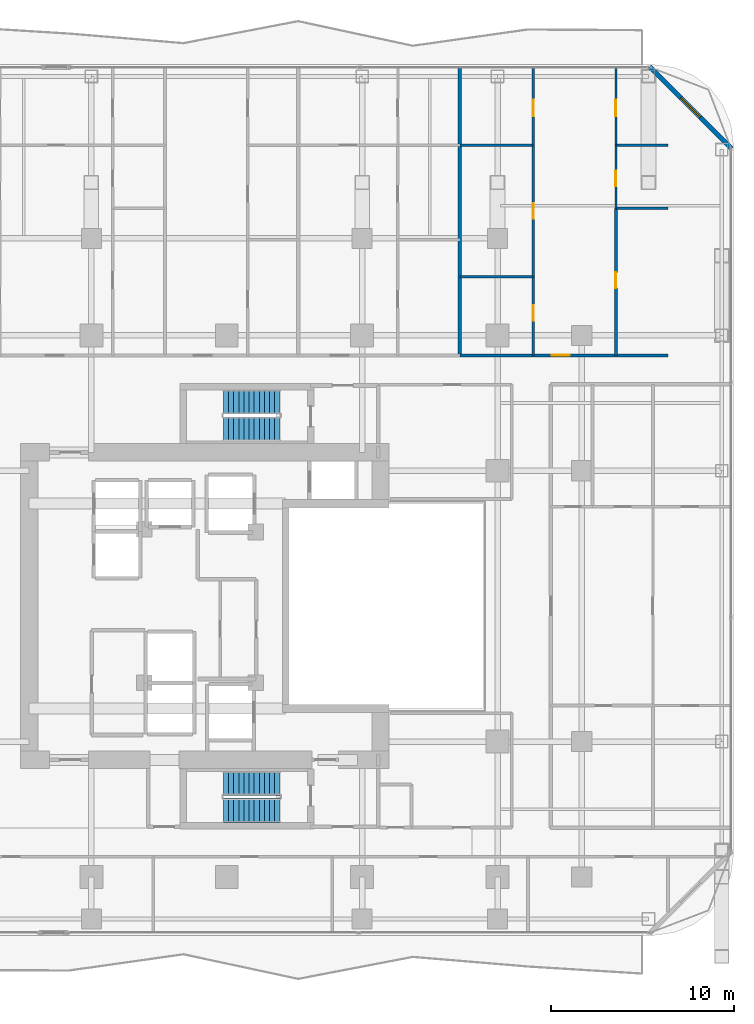
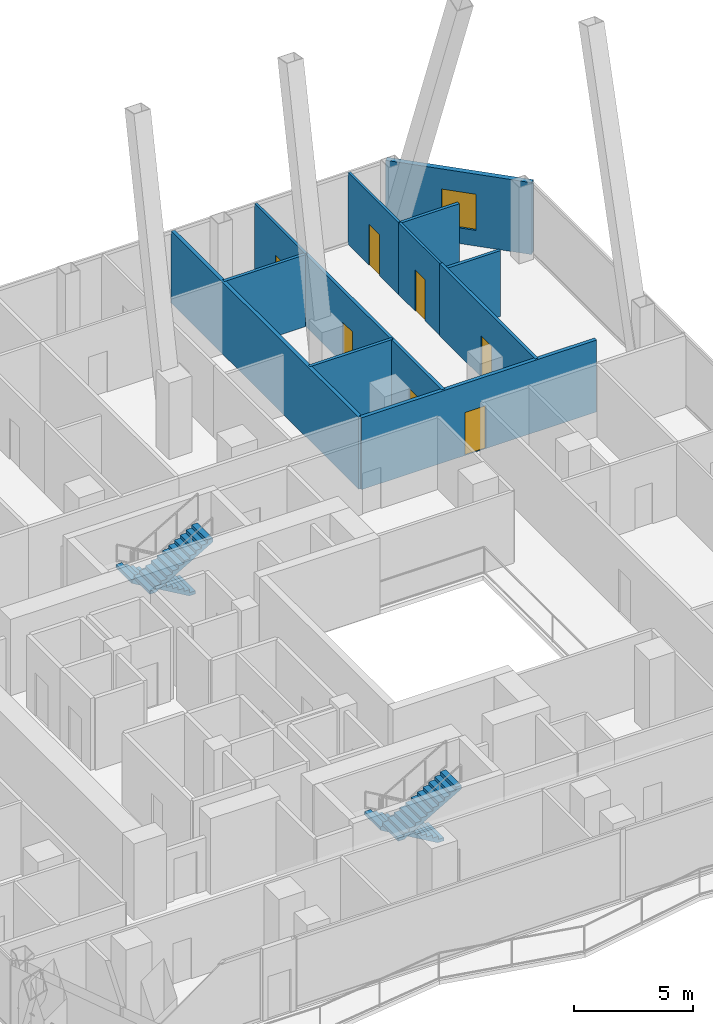
# One storey, part 25 of 28: 13 walls, 7 doors, 4 stair flights, 1 window, 8 openings, 2 elements without a shape of their own.
"""IFC4 building model written with IfcOpenShell, lengths in metres."""

from ifc_helpers import new_model, si_unit, direction, frame, frame_2d, origin, place, context, subcontext, project, spatial, polyline, rectangle, outline, extrude, material, layer, layer_set, type_object, element, fill, aggregate, save


model = new_model("IFC4")

# Units and contexts
model_context = context("Model", 3, precision=1e-05, world=origin(), true_north=direction((0.0, 1.0)))
body_context = subcontext(model_context, "Body", "Model", "MODEL_VIEW")
ifc_project = project(units=[si_unit("LENGTHUNIT", "METRE"), si_unit("AREAUNIT", "SQUARE_METRE"), si_unit("VOLUMEUNIT", "CUBIC_METRE"), si_unit("PLANEANGLEUNIT", "RADIAN"), si_unit("MASSUNIT", "GRAM", prefix="KILO")], contexts=[model_context])

# Site, building, storey
site_placement = place(None, origin())
site = spatial("IfcSite", under=ifc_project, at=site_placement, CompositionType="ELEMENT")
building_placement = place(site_placement, origin())
building = spatial("IfcBuilding", under=site, at=building_placement, Name="Khorvyn Point Tower", CompositionType="ELEMENT")
storey_placement = place(building_placement, frame((0.0, 0.0, 121.199951171875)))
storey = spatial("IfcBuildingStorey", under=building, at=storey_placement, Name="L30", CompositionType="ELEMENT", Elevation=121.199951171875)

# Wall, opening, door
ifc_material_1 = material(Name="Double acoustic gypsum on twin steel stud", Category="steel")
ifc_layer_1 = layer(ifc_material_1, 0.179931640625)
ifc_layer_set_1 = layer_set([ifc_layer_1], Name="Acoustic Double-Stud Apartment Demising Wall 180")
wall_type_1 = type_object("IfcWallType", Name="Acoustic Double-Stud Apartment Demising Wall 180", PredefinedType="PARTITIONING", material=ifc_layer_set_1)
wall_1_placement = place(storey_placement, frame((12.736083984375, 13.699951171875, 0.0), z_axis=(0.0, 0.0, 1.0), x_axis=(1.0, 0.0, 0.0)))
wall_1 = element("IfcWall", 1, at=wall_1_placement, inside=storey, type_object=wall_type_1, Name="Wall", PredefinedType="PARTITIONING", context=body_context, shape_type="SweptSolid", body=[
    extrude(rectangle(XDim=11.384033203125, YDim=0.179931640625, at=frame_2d((5.69189453125, 0.0))), origin(), (0.0, 0.0, 1.0), 3.679931640625),
])
opening_1_placement = place(wall_1_placement, frame((5.01220703125, 0.0, 0.0)))
opening_1 = element("IfcOpeningElement", 2, at=opening_1_placement, cuts=wall_1, Name="Opening ID-AP60", PredefinedType="OPENING", context=body_context, shape_type="SweptSolid", body=[
    extrude(rectangle(XDim=1.0, YDim=2.199951171875, at=frame_2d((0.5, 1.10009765625))), frame((0.0, 0.099853515625, 0.0), z_axis=(0.0, -1.0, 0.0), x_axis=(1.0, 0.0, 0.0)), (0.0, 0.0, 1.0), 0.199951171875),
])
ifc_material_2 = material(Name="Engineered hardwood fire-rated leaf", Category="wood")
door_type_1 = type_object("IfcDoorType", Name="Acoustic Solid-Core Timber Apartment Entrance Door 1000x2200", OperationType="NOTDEFINED", PredefinedType="DOOR", material=ifc_material_2)
door_1_placement = place(opening_1_placement, origin())
door_1 = element("IfcDoor", 3, at=door_1_placement, inside=storey, type_object=door_type_1, Name="Door", OperationType="SINGLE_SWING_LEFT", OverallHeight=2.199951171875, OverallWidth=1.0, PredefinedType="DOOR", context=body_context, shape_type="SweptSolid", body=[
    extrude(rectangle(XDim=1.0, YDim=2.199951171875, at=frame_2d((0.5, 1.10009765625))), frame((0.0, 0.02490234375, 0.0), z_axis=(0.0, -1.0, 0.0), x_axis=(1.0, 0.0, 0.0)), (0.0, 0.0, 1.0), 0.050048828125),
])
fill(opening_1, door_1)

# Wall
wall_2_placement = place(storey_placement, frame((12.736083984375, 13.699951171875, 0.0), z_axis=(0.0, 0.0, 1.0), x_axis=(0.0, 1.0, 0.0)))
element("IfcWall", 4, at=wall_2_placement, inside=storey, type_object=wall_type_1, Name="Wall", PredefinedType="PARTITIONING", context=body_context, shape_type="SweptSolid", body=[
    extrude(rectangle(XDim=15.72998046875, YDim=0.179931640625, at=frame_2d((7.864990234375, 0.0))), origin(), (0.0, 0.0, 1.0), 3.679931640625),
])

# Wall, opening, window
ifc_material_3 = material(Name="Pale anodised aluminium rainscreen on steel stud", Category="steel")
ifc_layer_2 = layer(ifc_material_3, 0.239990234375)
ifc_layer_set_2 = layer_set([ifc_layer_2], Name="Anodised Aluminium Insulated Corner Spandrel Wall 240")
wall_type_2 = type_object("IfcWallType", Name="Anodised Aluminium Insulated Corner Spandrel Wall 240", PredefinedType="SOLIDWALL", material=ifc_layer_set_2)
wall_3_placement = place(storey_placement, frame((23.107666015625, 29.492431640625, 0.0), z_axis=(0.0, 0.0, 1.0), x_axis=(0.707087534163, -0.707126027686, 0.0)))
wall_3 = element("IfcWall", 5, at=wall_3_placement, inside=storey, type_object=wall_type_2, Name="L30 Rounded Corner Wall NE", PredefinedType="SOLIDWALL", context=body_context, shape_type="SweptSolid", body=[
    extrude(rectangle(XDim=6.34228515625, YDim=0.239990234375, at=frame_2d((3.171142578125, 0.0))), origin(), (0.0, 0.0, 1.0), 3.679931640625),
])
opening_2_placement = place(wall_3_placement, frame((2.42138671875, 0.0, 0.800048828125)))
opening_2 = element("IfcOpeningElement", 6, at=opening_2_placement, cuts=wall_3, Name="Opening WN-1518", PredefinedType="OPENING", context=body_context, shape_type="SweptSolid", body=[
    extrude(rectangle(XDim=1.5, YDim=1.85009765625, at=frame_2d((0.75, 0.925048828125))), frame((0.0, 0.1298828125, 0.0), z_axis=(0.0, -1.0, 0.0), x_axis=(1.0, 0.0, 0.0)), (0.0, 0.0, 1.0), 0.260009765625),
])
ifc_material_4 = material(Name="Anodised aluminium 6063-T6 and laminated Low-E glass", Category="aluminium")
window_type = type_object("IfcWindowType", Name="Anodised Aluminium Rounded-Corner Panoramic Window 1500x1850", PartitioningType="SINGLE_PANEL", PredefinedType="WINDOW", material=ifc_material_4)
window_placement = place(opening_2_placement, origin())
window = element("IfcWindow", 7, at=window_placement, inside=storey, type_object=window_type, Name="L30 Corner Panoramic Window NE", OverallHeight=1.85009765625, OverallWidth=1.5, PartitioningType="SINGLE_PANEL", PredefinedType="WINDOW", context=body_context, shape_type="SweptSolid", body=[
    extrude(rectangle(XDim=1.5, YDim=1.85009765625, at=frame_2d((0.75, 0.925048828125))), frame((0.0, 0.030029296875, 0.0), z_axis=(0.0, -1.0, 0.0), x_axis=(1.0, 0.0, 0.0)), (0.0, 0.0, 1.0), 0.06005859375),
])
fill(opening_2, window)

# Wall, opening, door
ifc_material_5 = material(Name="Gypsum plasterboard on steel stud", Category="steel")
ifc_layer_3 = layer(ifc_material_5, 0.1201171875)
ifc_layer_set_3 = layer_set([ifc_layer_3], Name="Gypsum Acoustic Stud Room Partition Wall 120")
wall_type_3 = type_object("IfcWallType", Name="Gypsum Acoustic Stud Room Partition Wall 120", PredefinedType="PARTITIONING", material=ifc_layer_set_3)
wall_4_placement = place(storey_placement, frame((16.748046875, 25.18994140625, 0.0), z_axis=(0.0, 0.0, 1.0), x_axis=(0.0, 1.0, 0.0)))
wall_4 = element("IfcWall", 8, at=wall_4_placement, inside=storey, type_object=wall_type_3, Name="Wall", PredefinedType="PARTITIONING", context=body_context, shape_type="SweptSolid", body=[
    extrude(rectangle(XDim=4.239990234375, YDim=0.1201171875, at=frame_2d((2.1201171875, 0.0))), origin(), (0.0, 0.0, 1.0), 3.679931640625),
])
opening_3_placement = place(wall_4_placement, frame((1.581298828125, 0.0, 0.0)))
opening_3 = element("IfcOpeningElement", 9, at=opening_3_placement, cuts=wall_4, Name="Opening ID-RM90", PredefinedType="OPENING", context=body_context, shape_type="SweptSolid", body=[
    extrude(rectangle(XDim=0.89990234375, YDim=2.10009765625, at=frame_2d((0.449951171875, 1.050048828125))), frame((0.0, 0.070068359375, 0.0), z_axis=(0.0, -1.0, 0.0), x_axis=(1.0, 0.0, 0.0)), (0.0, 0.0, 1.0), 0.14013671875),
])
ifc_material_6 = material(Name="Engineered oak veneer timber", Category="wood")
door_type_2 = type_object("IfcDoorType", Name="Flush Engineered Timber Room Door 900x2100", OperationType="NOTDEFINED", PredefinedType="DOOR", material=ifc_material_6)
door_2_placement = place(opening_3_placement, origin())
door_2 = element("IfcDoor", 10, at=door_2_placement, inside=storey, type_object=door_type_2, Name="Door", OperationType="SINGLE_SWING_RIGHT", OverallHeight=2.10009765625, OverallWidth=0.89990234375, PredefinedType="DOOR", context=body_context, shape_type="SweptSolid", body=[
    extrude(rectangle(XDim=0.89990234375, YDim=2.10009765625, at=frame_2d((0.449951171875, 1.050048828125))), frame((0.0, 0.02490234375, 0.0), z_axis=(0.0, -1.0, 0.0), x_axis=(1.0, 0.0, 0.0)), (0.0, 0.0, 1.0), 0.050048828125),
])
fill(opening_3, door_2)

wall_5_placement = place(storey_placement, frame((21.27001953125, 21.742919921875, 0.0), z_axis=(0.0, 0.0, 1.0), x_axis=(0.0, 1.0, 0.0)))
wall_5 = element("IfcWall", 11, at=wall_5_placement, inside=storey, type_object=wall_type_3, Name="Wall", PredefinedType="PARTITIONING", context=body_context, shape_type="SweptSolid", body=[
    extrude(rectangle(XDim=3.447021484375, YDim=0.1201171875, at=frame_2d((1.7236328125, 0.0))), origin(), (0.0, 0.0, 1.0), 3.679931640625),
])
opening_4_placement = place(wall_5_placement, frame((1.2109375, 0.0, 0.0)))
opening_4 = element("IfcOpeningElement", 12, at=opening_4_placement, cuts=wall_5, Name="Opening ID-WC85", PredefinedType="OPENING", context=body_context, shape_type="SweptSolid", body=[
    extrude(rectangle(XDim=0.85009765625, YDim=2.10009765625, at=frame_2d((0.425048828125, 1.050048828125))), frame((0.0, 0.070068359375, 0.0), z_axis=(0.0, -1.0, 0.0), x_axis=(1.0, 0.0, 0.0)), (0.0, 0.0, 1.0), 0.14013671875),
])
ifc_material_7 = material(Name="High-pressure laminate on moisture-resistant core", Category="wood")
door_type_3 = type_object("IfcDoorType", Name="Moisture-Resistant Accessible Washroom Door 850x2100", OperationType="NOTDEFINED", PredefinedType="DOOR", material=ifc_material_7)
door_3_placement = place(opening_4_placement, origin())
door_3 = element("IfcDoor", 13, at=door_3_placement, inside=storey, type_object=door_type_3, Name="Door", OperationType="SINGLE_SWING_RIGHT", OverallHeight=2.10009765625, OverallWidth=0.85009765625, PredefinedType="DOOR", context=body_context, shape_type="SweptSolid", body=[
    extrude(rectangle(XDim=0.85009765625, YDim=2.10009765625, at=frame_2d((0.425048828125, 1.050048828125))), frame((0.0, 0.02490234375, 0.0), z_axis=(0.0, -1.0, 0.0), x_axis=(1.0, 0.0, 0.0)), (0.0, 0.0, 1.0), 0.050048828125),
])
fill(opening_4, door_3)

wall_6_placement = place(storey_placement, frame((21.27001953125, 25.18994140625, 0.0), z_axis=(0.0, 0.0, 1.0), x_axis=(0.0, 1.0, 0.0)))
wall_6 = element("IfcWall", 14, at=wall_6_placement, inside=storey, type_object=wall_type_3, Name="Wall", PredefinedType="PARTITIONING", context=body_context, shape_type="SweptSolid", body=[
    extrude(rectangle(XDim=4.239990234375, YDim=0.1201171875, at=frame_2d((2.1201171875, 0.0))), origin(), (0.0, 0.0, 1.0), 3.679931640625),
])
opening_5_placement = place(wall_6_placement, frame((1.581298828125, 0.0, 0.0)))
opening_5 = element("IfcOpeningElement", 15, at=opening_5_placement, cuts=wall_6, Name="Opening ID-RM90", PredefinedType="OPENING", context=body_context, shape_type="SweptSolid", body=[
    extrude(rectangle(XDim=0.89990234375, YDim=2.10009765625, at=frame_2d((0.449951171875, 1.050048828125))), frame((0.0, 0.070068359375, 0.0), z_axis=(0.0, -1.0, 0.0), x_axis=(1.0, 0.0, 0.0)), (0.0, 0.0, 1.0), 0.14013671875),
])
door_4_placement = place(opening_5_placement, origin())
door_4 = element("IfcDoor", 16, at=door_4_placement, inside=storey, type_object=door_type_2, Name="Door", OperationType="SINGLE_SWING_LEFT", OverallHeight=2.10009765625, OverallWidth=0.89990234375, PredefinedType="DOOR", context=body_context, shape_type="SweptSolid", body=[
    extrude(rectangle(XDim=0.89990234375, YDim=2.10009765625, at=frame_2d((0.449951171875, 1.050048828125))), frame((0.0, 0.02490234375, 0.0), z_axis=(0.0, -1.0, 0.0), x_axis=(1.0, 0.0, 0.0)), (0.0, 0.0, 1.0), 0.050048828125),
])
fill(opening_5, door_4)

ifc_material_8 = material(Name="Moisture-resistant gypsum and cement board", Category="gypsum")
ifc_layer_4 = layer(ifc_material_8, 0.14990234375)
ifc_layer_set_4 = layer_set([ifc_layer_4], Name="Moisture-Resistant Wet-Room Partition Wall 150")
wall_type_4 = type_object("IfcWallType", Name="Moisture-Resistant Wet-Room Partition Wall 150", PredefinedType="PARTITIONING", material=ifc_layer_set_4)
wall_7_placement = place(storey_placement, frame((16.748046875, 13.699951171875, 0.0), z_axis=(0.0, 0.0, 1.0), x_axis=(0.0, 1.0, 0.0)))
wall_7 = element("IfcWall", 17, at=wall_7_placement, inside=storey, type_object=wall_type_4, Name="Wall", PredefinedType="PARTITIONING", context=body_context, shape_type="SweptSolid", body=[
    extrude(rectangle(XDim=4.300048828125, YDim=0.14990234375, at=frame_2d((2.14990234375, 0.0))), origin(), (0.0, 0.0, 1.0), 3.679931640625),
])
opening_6_placement = place(wall_7_placement, frame((1.89892578125, 0.0, 0.0)))
opening_6 = element("IfcOpeningElement", 18, at=opening_6_placement, cuts=wall_7, Name="Opening ID-WC85", PredefinedType="OPENING", context=body_context, shape_type="SweptSolid", body=[
    extrude(rectangle(XDim=0.85009765625, YDim=2.10009765625, at=frame_2d((0.425048828125, 1.050048828125))), frame((0.0, 0.0849609375, 0.0), z_axis=(0.0, -1.0, 0.0), x_axis=(1.0, 0.0, 0.0)), (0.0, 0.0, 1.0), 0.169921875),
])
door_5_placement = place(opening_6_placement, origin())
door_5 = element("IfcDoor", 19, at=door_5_placement, inside=storey, type_object=door_type_3, Name="Door", OperationType="SINGLE_SWING_RIGHT", OverallHeight=2.10009765625, OverallWidth=0.85009765625, PredefinedType="DOOR", context=body_context, shape_type="SweptSolid", body=[
    extrude(rectangle(XDim=0.85009765625, YDim=2.10009765625, at=frame_2d((0.425048828125, 1.050048828125))), frame((0.0, 0.02490234375, 0.0), z_axis=(0.0, -1.0, 0.0), x_axis=(1.0, 0.0, 0.0)), (0.0, 0.0, 1.0), 0.050048828125),
])
fill(opening_6, door_5)

wall_8_placement = place(storey_placement, frame((16.748046875, 18.0, 0.0), z_axis=(0.0, 0.0, 1.0), x_axis=(0.0, 1.0, 0.0)))
wall_8 = element("IfcWall", 20, at=wall_8_placement, inside=storey, type_object=wall_type_4, Name="Wall", PredefinedType="PARTITIONING", context=body_context, shape_type="SweptSolid", body=[
    extrude(rectangle(XDim=7.18994140625, YDim=0.14990234375, at=frame_2d((3.594970703125, 0.0))), origin(), (0.0, 0.0, 1.0), 3.679931640625),
])
opening_7_placement = place(wall_8_placement, frame((3.169921875, 0.0, 0.0)))
opening_7 = element("IfcOpeningElement", 21, at=opening_7_placement, cuts=wall_8, Name="Opening ID-WC85", PredefinedType="OPENING", context=body_context, shape_type="SweptSolid", body=[
    extrude(rectangle(XDim=0.85009765625, YDim=2.10009765625, at=frame_2d((0.425048828125, 1.050048828125))), frame((0.0, 0.0849609375, 0.0), z_axis=(0.0, -1.0, 0.0), x_axis=(1.0, 0.0, 0.0)), (0.0, 0.0, 1.0), 0.169921875),
])
door_6_placement = place(opening_7_placement, origin())
door_6 = element("IfcDoor", 22, at=door_6_placement, inside=storey, type_object=door_type_3, Name="Door", OperationType="SINGLE_SWING_LEFT", OverallHeight=2.10009765625, OverallWidth=0.85009765625, PredefinedType="DOOR", context=body_context, shape_type="SweptSolid", body=[
    extrude(rectangle(XDim=0.85009765625, YDim=2.10009765625, at=frame_2d((0.425048828125, 1.050048828125))), frame((0.0, 0.02490234375, 0.0), z_axis=(0.0, -1.0, 0.0), x_axis=(1.0, 0.0, 0.0)), (0.0, 0.0, 1.0), 0.050048828125),
])
fill(opening_7, door_6)

wall_9_placement = place(storey_placement, frame((21.27001953125, 13.699951171875, 0.0), z_axis=(0.0, 0.0, 1.0), x_axis=(0.0, 1.0, 0.0)))
wall_9 = element("IfcWall", 23, at=wall_9_placement, inside=storey, type_object=wall_type_4, Name="Wall", PredefinedType="PARTITIONING", context=body_context, shape_type="SweptSolid", body=[
    extrude(rectangle(XDim=8.04296875, YDim=0.14990234375, at=frame_2d((4.021484375, 0.0))), origin(), (0.0, 0.0, 1.0), 3.679931640625),
])
opening_8_placement = place(wall_9_placement, frame((3.6845703125, 0.0, 0.0)))
opening_8 = element("IfcOpeningElement", 24, at=opening_8_placement, cuts=wall_9, Name="Opening ID-WC85", PredefinedType="OPENING", context=body_context, shape_type="SweptSolid", body=[
    extrude(rectangle(XDim=0.85009765625, YDim=2.10009765625, at=frame_2d((0.425048828125, 1.050048828125))), frame((0.0, 0.0849609375, 0.0), z_axis=(0.0, -1.0, 0.0), x_axis=(1.0, 0.0, 0.0)), (0.0, 0.0, 1.0), 0.169921875),
])
door_7_placement = place(opening_8_placement, origin())
door_7 = element("IfcDoor", 25, at=door_7_placement, inside=storey, type_object=door_type_3, Name="Door", OperationType="SINGLE_SWING_LEFT", OverallHeight=2.10009765625, OverallWidth=0.85009765625, PredefinedType="DOOR", context=body_context, shape_type="SweptSolid", body=[
    extrude(rectangle(XDim=0.85009765625, YDim=2.10009765625, at=frame_2d((0.425048828125, 1.050048828125))), frame((0.0, 0.02490234375, 0.0), z_axis=(0.0, -1.0, 0.0), x_axis=(1.0, 0.0, 0.0)), (0.0, 0.0, 1.0), 0.050048828125),
])
fill(opening_8, door_7)

# Walls
for number, where, z_axis, x_axis, name in (
    (26, (12.736083984375, 18.0, 0.0), (0.0, 0.0, 1.0), (1.0, 0.0, 0.0), "Wall"),
    (27, (12.736083984375, 25.18994140625, 0.0), (0.0, 0.0, 1.0), (1.0, 0.0, 0.0), "Wall"),
):
    element("IfcWall", number, at=place(storey_placement, frame(where, z_axis=z_axis, x_axis=x_axis)), inside=storey, type_object=wall_type_4, Name=name, PredefinedType="PARTITIONING", context=body_context, shape_type="SweptSolid", body=[
        extrude(rectangle(XDim=4.011962890625, YDim=0.14990234375, at=frame_2d((2.005859375, 0.0))), origin(), (0.0, 0.0, 1.0), 3.679931640625),
    ])
wall_10_placement = place(storey_placement, frame((21.27001953125, 21.742919921875, 0.0), z_axis=(0.0, 0.0, 1.0), x_axis=(1.0, 0.0, 0.0)))
element("IfcWall", 28, at=wall_10_placement, inside=storey, type_object=wall_type_4, Name="Wall", PredefinedType="PARTITIONING", context=body_context, shape_type="SweptSolid", body=[
    extrude(rectangle(XDim=2.85009765625, YDim=0.14990234375, at=frame_2d((1.425048828125, 0.0))), origin(), (0.0, 0.0, 1.0), 3.3701171875),
])
wall_11_placement = place(storey_placement, frame((21.27001953125, 25.18994140625, 0.0), z_axis=(0.0, 0.0, 1.0), x_axis=(1.0, 0.0, 0.0)))
element("IfcWall", 29, at=wall_11_placement, inside=storey, type_object=wall_type_4, Name="Wall", PredefinedType="PARTITIONING", context=body_context, shape_type="SweptSolid", body=[
    extrude(rectangle(XDim=2.85009765625, YDim=0.14990234375, at=frame_2d((1.425048828125, 0.0))), origin(), (0.0, 0.0, 1.0), 3.679931640625),
])

# Stair, stair flights
ifc_material_9 = material(Name="Concrete C40/50", Category="concrete")
stair_type = type_object("IfcStairType", Name="Tower Concrete C40/50 Dogleg Exit Stair", PredefinedType="HALF_TURN_STAIR", material=ifc_material_9)
stair_1_placement = place(storey_placement, origin())
stair_1 = element("IfcStair", 30, at=stair_1_placement, inside=storey, type_object=stair_type, Name="L30 Tower Smokeproof Exit Stair South", PredefinedType="HALF_TURN_STAIR")
stair_flight_type = type_object("IfcStairFlightType", Name="Tower Concrete C40/50 Stair Flight", PredefinedType="STRAIGHT", material=ifc_material_9)
stair_flight_1_placement = place(storey_placement, frame((2.89990234375, -9.679931640625, 0.0), z_axis=(0.0, 0.0, 1.0), x_axis=(-1.0, 0.0, 0.0)))
stair_flight_1 = element("IfcStairFlight", 31, at=stair_flight_1_placement, type_object=stair_flight_type, Name="ST-01 flight 1", NumberOfRisers=12, NumberOfTreads=11, PredefinedType="STRAIGHT", RiserHeight=0.1625, TreadLength=0.28, context=body_context, shape_type="SweptSolid", body=[
    extrude(outline(polyline([(0.0, 0.0), (0.0, 0.16259765625), (0.280029296875, 0.16259765625), (0.280029296875, 0.324951171875), (0.56005859375, 0.324951171875), (0.56005859375, 0.487548828125), (0.840087890625, 0.487548828125), (0.840087890625, 0.64990234375), (1.1201171875, 0.64990234375), (1.1201171875, 0.8125), (1.39990234375, 0.8125), (1.39990234375, 0.97509765625), (1.679931640625, 0.97509765625), (1.679931640625, 1.137451171875), (1.9599609375, 1.137451171875), (1.9599609375, 1.300048828125), (2.239990234375, 1.300048828125), (2.239990234375, 1.46240234375), (2.52001953125, 1.46240234375), (2.52001953125, 1.625), (2.800048828125, 1.625), (2.800048828125, 1.78759765625), (3.080078125, 1.78759765625), (3.080078125, 1.949951171875), (3.080078125, 1.6142578125), (0.298583984375, 0.0), (0.0, 0.0)])), frame((0.0, 0.66015625, 0.0), z_axis=(0.0, -1.0, 0.0), x_axis=(1.0, 0.0, 0.0)), (0.0, 0.0, 1.0), 1.320068359375),
])
stair_flight_2_placement = place(storey_placement, frame((-0.179931640625, -11.159912109375, 1.949951171875), z_axis=(0.0, 0.0, 1.0), x_axis=(1.0, 0.0, 0.0)))
stair_flight_2 = element("IfcStairFlight", 32, at=stair_flight_2_placement, type_object=stair_flight_type, Name="ST-01 flight 2", NumberOfRisers=12, NumberOfTreads=11, PredefinedType="STRAIGHT", RiserHeight=0.1625, TreadLength=0.28, context=body_context, shape_type="SweptSolid", body=[
    extrude(outline(polyline([(0.0, 0.0), (0.0, 0.16259765625), (0.280029296875, 0.16259765625), (0.280029296875, 0.324951171875), (0.56005859375, 0.324951171875), (0.56005859375, 0.487548828125), (0.840087890625, 0.487548828125), (0.840087890625, 0.64990234375), (1.1201171875, 0.64990234375), (1.1201171875, 0.8125), (1.39990234375, 0.8125), (1.39990234375, 0.97509765625), (1.679931640625, 0.97509765625), (1.679931640625, 1.137451171875), (1.9599609375, 1.137451171875), (1.9599609375, 1.300048828125), (2.239990234375, 1.300048828125), (2.239990234375, 1.46240234375), (2.52001953125, 1.46240234375), (2.52001953125, 1.625), (2.800048828125, 1.625), (2.800048828125, 1.78759765625), (3.080078125, 1.78759765625), (3.080078125, 1.949951171875), (3.080078125, 1.6142578125), (0.298583984375, 0.0), (0.0, 0.0)])), frame((0.0, 0.66015625, 0.0), z_axis=(0.0, -1.0, 0.0), x_axis=(1.0, 0.0, 0.0)), (0.0, 0.0, 1.0), 1.320068359375),
])
aggregate(stair_1, [stair_flight_1, stair_flight_2])

stair_2_placement = place(storey_placement, origin())
stair_2 = element("IfcStair", 33, at=stair_2_placement, inside=storey, type_object=stair_type, Name="L30 Tower Smokeproof Exit Stair North", PredefinedType="HALF_TURN_STAIR")
stair_flight_3_placement = place(storey_placement, frame((2.89990234375, 11.159912109375, 0.0), z_axis=(0.0, 0.0, 1.0), x_axis=(-1.0, 0.0, 0.0)))
stair_flight_3 = element("IfcStairFlight", 34, at=stair_flight_3_placement, type_object=stair_flight_type, Name="ST-02 flight 1", NumberOfRisers=12, NumberOfTreads=11, PredefinedType="STRAIGHT", RiserHeight=0.1625, TreadLength=0.28, context=body_context, shape_type="SweptSolid", body=[
    extrude(outline(polyline([(0.0, 0.0), (0.0, 0.16259765625), (0.280029296875, 0.16259765625), (0.280029296875, 0.324951171875), (0.56005859375, 0.324951171875), (0.56005859375, 0.487548828125), (0.840087890625, 0.487548828125), (0.840087890625, 0.64990234375), (1.1201171875, 0.64990234375), (1.1201171875, 0.8125), (1.39990234375, 0.8125), (1.39990234375, 0.97509765625), (1.679931640625, 0.97509765625), (1.679931640625, 1.137451171875), (1.9599609375, 1.137451171875), (1.9599609375, 1.300048828125), (2.239990234375, 1.300048828125), (2.239990234375, 1.46240234375), (2.52001953125, 1.46240234375), (2.52001953125, 1.625), (2.800048828125, 1.625), (2.800048828125, 1.78759765625), (3.080078125, 1.78759765625), (3.080078125, 1.949951171875), (3.080078125, 1.6142578125), (0.298583984375, 0.0), (0.0, 0.0)])), frame((0.0, 0.66015625, 0.0), z_axis=(0.0, -1.0, 0.0), x_axis=(1.0, 0.0, 0.0)), (0.0, 0.0, 1.0), 1.320068359375),
])
stair_flight_4_placement = place(storey_placement, frame((-0.179931640625, 9.679931640625, 1.949951171875), z_axis=(0.0, 0.0, 1.0), x_axis=(1.0, 0.0, 0.0)))
stair_flight_4 = element("IfcStairFlight", 35, at=stair_flight_4_placement, type_object=stair_flight_type, Name="ST-02 flight 2", NumberOfRisers=12, NumberOfTreads=11, PredefinedType="STRAIGHT", RiserHeight=0.1625, TreadLength=0.28, context=body_context, shape_type="SweptSolid", body=[
    extrude(outline(polyline([(0.0, 0.0), (0.0, 0.16259765625), (0.280029296875, 0.16259765625), (0.280029296875, 0.324951171875), (0.56005859375, 0.324951171875), (0.56005859375, 0.487548828125), (0.840087890625, 0.487548828125), (0.840087890625, 0.64990234375), (1.1201171875, 0.64990234375), (1.1201171875, 0.8125), (1.39990234375, 0.8125), (1.39990234375, 0.97509765625), (1.679931640625, 0.97509765625), (1.679931640625, 1.137451171875), (1.9599609375, 1.137451171875), (1.9599609375, 1.300048828125), (2.239990234375, 1.300048828125), (2.239990234375, 1.46240234375), (2.52001953125, 1.46240234375), (2.52001953125, 1.625), (2.800048828125, 1.625), (2.800048828125, 1.78759765625), (3.080078125, 1.78759765625), (3.080078125, 1.949951171875), (3.080078125, 1.6142578125), (0.298583984375, 0.0), (0.0, 0.0)])), frame((0.0, 0.66015625, 0.0), z_axis=(0.0, -1.0, 0.0), x_axis=(1.0, 0.0, 0.0)), (0.0, 0.0, 1.0), 1.320068359375),
])
aggregate(stair_2, [stair_flight_3, stair_flight_4])

save(model, "model.ifc")
